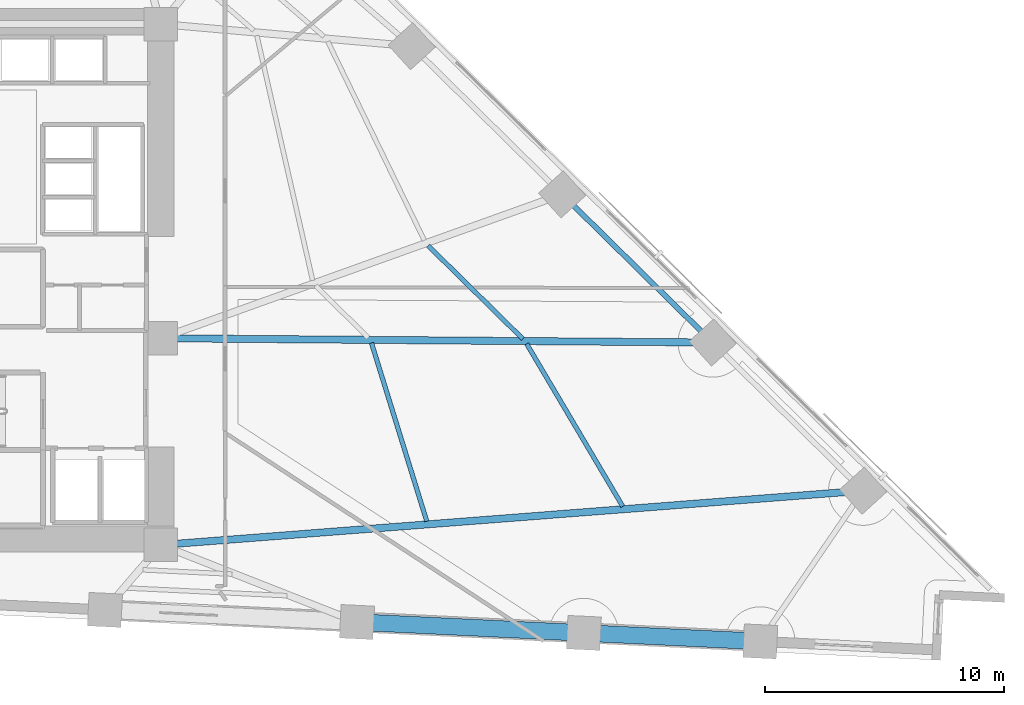
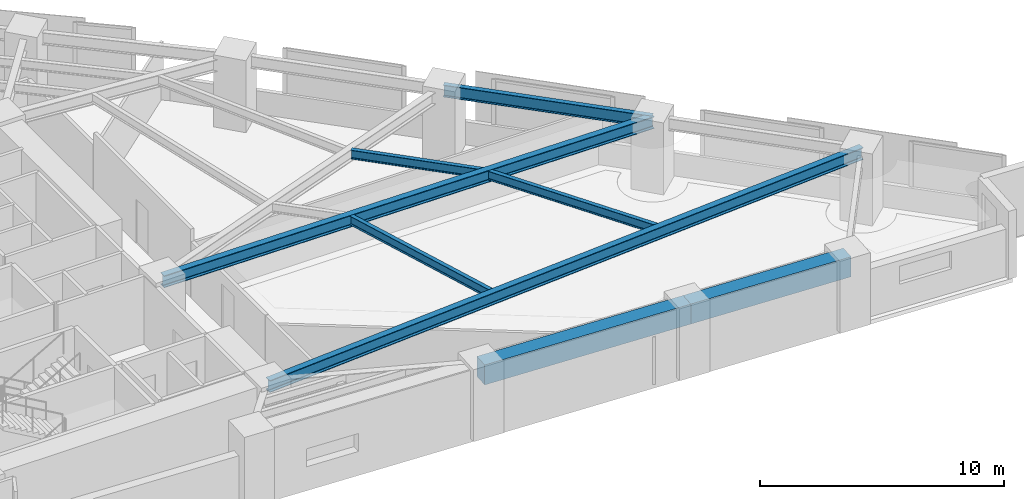
# One storey, part 3 of 17: 8 beams.
"""IFC4 building model written with IfcOpenShell, lengths in metres."""

from ifc_helpers import new_model, si_unit, direction, frame, origin, origin_2d, place, context, subcontext, project, spatial, rectangle, i_section, extrude, material, material_profile, profile_set, type_object, element, save


model = new_model("IFC4")

# Units and contexts
model_context = context("Model", 3, precision=1e-05, world=origin(), true_north=direction((0.0, 1.0)))
body_context = subcontext(model_context, "Body", "Model", "MODEL_VIEW")
ifc_project = project(units=[si_unit("LENGTHUNIT", "METRE"), si_unit("AREAUNIT", "SQUARE_METRE"), si_unit("VOLUMEUNIT", "CUBIC_METRE"), si_unit("PLANEANGLEUNIT", "RADIAN"), si_unit("MASSUNIT", "GRAM", prefix="KILO")], contexts=[model_context])

# Site, building, storey
site_placement = place(None, origin())
site = spatial("IfcSite", under=ifc_project, at=site_placement, CompositionType="ELEMENT")
building_placement = place(site_placement, origin())
building = spatial("IfcBuilding", under=site, at=building_placement, Name="Narakoshi Arena Tower", CompositionType="ELEMENT")
storey_placement = place(building_placement, frame((0.0, 0.0, 41.10009765625)))
storey = spatial("IfcBuildingStorey", under=building, at=storey_placement, Name="L10", CompositionType="ELEMENT", Elevation=41.10009765625)

# Beams
ifc_material_1 = material(Name="Concrete C60/75", Category="concrete")
ifc_material_profile_1 = material_profile(ifc_material_1, rectangle(XDim=0.699951171875, YDim=1.0, at=origin_2d()), Name="RCB700x1000")
ifc_profile_set_1 = profile_set([ifc_material_profile_1], Name="Concrete C60/75")
beam_type_1 = type_object("IfcBeamType", Name="BM-CPL-1000", PredefinedType="BEAM", material=ifc_profile_set_1)
beam_1_placement = place(storey_placement, frame((93.760009765625, 31.472412109375, 2.89990234375), z_axis=(0.998849228903, -0.047960587155, 0.0), x_axis=(0.047960587155, 0.998849228903, 0.0)))
element("IfcBeam", 1, at=beam_1_placement, inside=storey, type_object=beam_type_1, Name="L10 Perimeter Edge Girder 02", PredefinedType="BEAM", context=body_context, shape_type="SweptSolid", body=[
    extrude(rectangle(XDim=0.699951171875, YDim=1.0, at=origin_2d()), origin(), (0.0, 0.0, 1.0), 9.50390625),
])
beam_2_placement = place(storey_placement, frame((103.2529296875, 31.0166015625, 2.89990234375), z_axis=(0.998847872759, -0.047988822508, 0.0), x_axis=(0.047988822508, 0.998847872759, 0.0)))
element("IfcBeam", 2, at=beam_2_placement, inside=storey, type_object=beam_type_1, Name="L10 Perimeter Edge Girder 03", PredefinedType="BEAM", context=body_context, shape_type="SweptSolid", body=[
    extrude(rectangle(XDim=0.699951171875, YDim=1.0, at=origin_2d()), origin(), (0.0, 0.0, 1.0), 7.39208984375),
])
ifc_material_2 = material(Name="Structural steel S355J2", Category="steel")
ifc_material_profile_2 = material_profile(ifc_material_2, i_section(OverallWidth=0.219970703125, OverallDepth=0.60009765625, WebThickness=0.011962890625, FlangeThickness=0.01904296875, FilletRadius=0.02392578125, at=origin_2d()), Name="IPE600")
ifc_profile_set_2 = profile_set([ifc_material_profile_2], Name="Structural steel S355J2")
beam_type_2 = type_object("IfcBeamType", Name="BM-EDGE-600", PredefinedType="BEAM", material=ifc_profile_set_2)
beam_3_placement = place(storey_placement, frame((108.643798828125, 43.171875, 3.099853515625), z_axis=(-0.712540689328, 0.70163079041, 0.0), x_axis=(-0.70163079041, -0.712540689328, 0.0)))
element("IfcBeam", 3, at=beam_3_placement, inside=storey, type_object=beam_type_2, Name="L10 Perimeter Edge Girder 06", PredefinedType="BEAM", context=body_context, shape_type="SweptSolid", body=[
    extrude(i_section(OverallWidth=0.219970703125, OverallDepth=0.60009765625, WebThickness=0.011962890625, FlangeThickness=0.01904296875, FilletRadius=0.02392578125, at=origin_2d()), origin(), (0.0, 0.0, 1.0), 8.83935546875),
])
ifc_material_profile_3 = material_profile(ifc_material_2, i_section(OverallWidth=0.300048828125, OverallDepth=0.60009765625, WebThickness=0.015380859375, FlangeThickness=0.030029296875, FilletRadius=0.027099609375, at=origin_2d()), Name="HE600B")
ifc_profile_set_3 = profile_set([ifc_material_profile_3], Name="Structural steel S355J2")
beam_type_3 = type_object("IfcBeamType", Name="BM-PRI-600", PredefinedType="BEAM", material=ifc_profile_set_3)
beam_4_placement = place(storey_placement, frame((85.550048828125, 34.699951171875, 3.099853515625), z_axis=(0.99703085997, 0.077003014669, 0.0), x_axis=(-0.077003014669, 0.99703085997, 0.0)))
element("IfcBeam", 4, at=beam_4_placement, inside=storey, type_object=beam_type_3, Name="L10 Radial Primary Floor Girder 05", PredefinedType="BEAM", context=body_context, shape_type="SweptSolid", body=[
    extrude(i_section(OverallWidth=0.300048828125, OverallDepth=0.60009765625, WebThickness=0.015380859375, FlangeThickness=0.030029296875, FilletRadius=0.027099609375, at=origin_2d()), origin(), (0.0, 0.0, 1.0), 29.479736328125),
])
beam_5_placement = place(storey_placement, frame((85.550048828125, 43.35009765625, 3.099853515625), z_axis=(0.99997022255, -0.00771712473, 0.0), x_axis=(0.00771712473, 0.99997022255, 0.0)))
element("IfcBeam", 5, at=beam_5_placement, inside=storey, type_object=beam_type_3, Name="L10 Radial Primary Floor Girder 06", PredefinedType="BEAM", context=body_context, shape_type="SweptSolid", body=[
    extrude(i_section(OverallWidth=0.300048828125, OverallDepth=0.60009765625, WebThickness=0.015380859375, FlangeThickness=0.030029296875, FilletRadius=0.027099609375, at=origin_2d()), origin(), (0.0, 0.0, 1.0), 23.094482421875),
])
ifc_material_profile_4 = material_profile(ifc_material_2, i_section(OverallWidth=0.18994140625, OverallDepth=0.449951171875, WebThickness=0.009521484375, FlangeThickness=0.0146484375, FilletRadius=0.02099609375, at=origin_2d()), Name="IPE450")
ifc_profile_set_4 = profile_set([ifc_material_profile_4], Name="Structural steel S355J2")
beam_type_4 = type_object("IfcBeamType", Name="BM-SEC-450", PredefinedType="JOIST", material=ifc_profile_set_4)
beam_6_placement = place(storey_placement, frame((96.67919921875, 35.69140625, 3.1748046875), z_axis=(-0.296160353324, 0.955138233513, 0.0), x_axis=(-0.955138233513, -0.296160353324, 0.0)))
element("IfcBeam", 6, at=beam_6_placement, inside=storey, type_object=beam_type_4, Name="L10 Composite Secondary Floor Joist 03", PredefinedType="JOIST", context=body_context, shape_type="SweptSolid", body=[
    extrude(i_section(OverallWidth=0.18994140625, OverallDepth=0.449951171875, WebThickness=0.009521484375, FlangeThickness=0.0146484375, FilletRadius=0.02099609375, at=origin_2d()), origin(), (0.0, 0.0, 1.0), 7.8125),
])
beam_7_placement = place(storey_placement, frame((104.880126953125, 36.314453125, 3.1748046875), z_axis=(-0.508758462188, 0.860909302512, 0.0), x_axis=(-0.860909302512, -0.508758462188, 0.0)))
element("IfcBeam", 7, at=beam_7_placement, inside=storey, type_object=beam_type_4, Name="L10 Composite Secondary Floor Joist 04", PredefinedType="JOIST", context=body_context, shape_type="SweptSolid", body=[
    extrude(i_section(OverallWidth=0.18994140625, OverallDepth=0.449951171875, WebThickness=0.009521484375, FlangeThickness=0.0146484375, FilletRadius=0.02099609375, at=origin_2d()), origin(), (0.0, 0.0, 1.0), 7.900634765625),
])
beam_8_placement = place(storey_placement, frame((100.69580078125, 43.3271484375, 3.1748046875), z_axis=(-0.712548594801, 0.701622761923, 0.0), x_axis=(-0.701622761923, -0.712548594801, 0.0)))
element("IfcBeam", 8, at=beam_8_placement, inside=storey, type_object=beam_type_4, Name="L10 Composite Secondary Floor Joist 06", PredefinedType="JOIST", context=body_context, shape_type="SweptSolid", body=[
    extrude(i_section(OverallWidth=0.18994140625, OverallDepth=0.449951171875, WebThickness=0.009521484375, FlangeThickness=0.0146484375, FilletRadius=0.02099609375, at=origin_2d()), origin(), (0.0, 0.0, 1.0), 5.56396484375),
])

save(model, "model.ifc")
